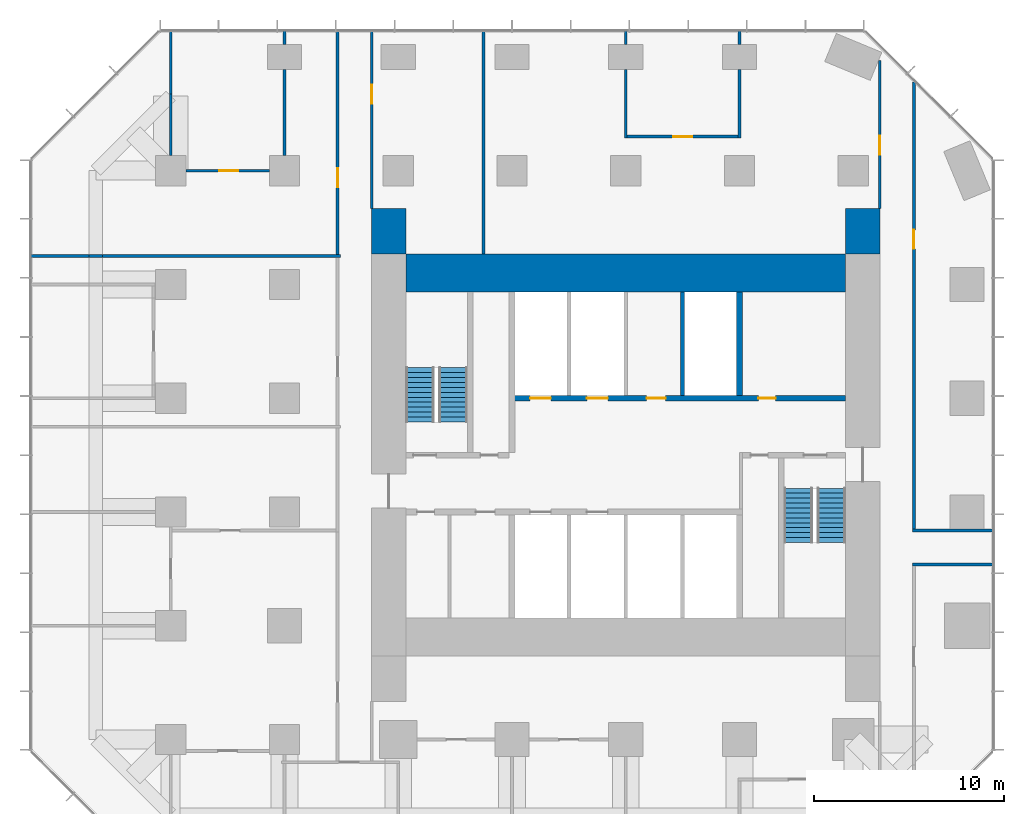
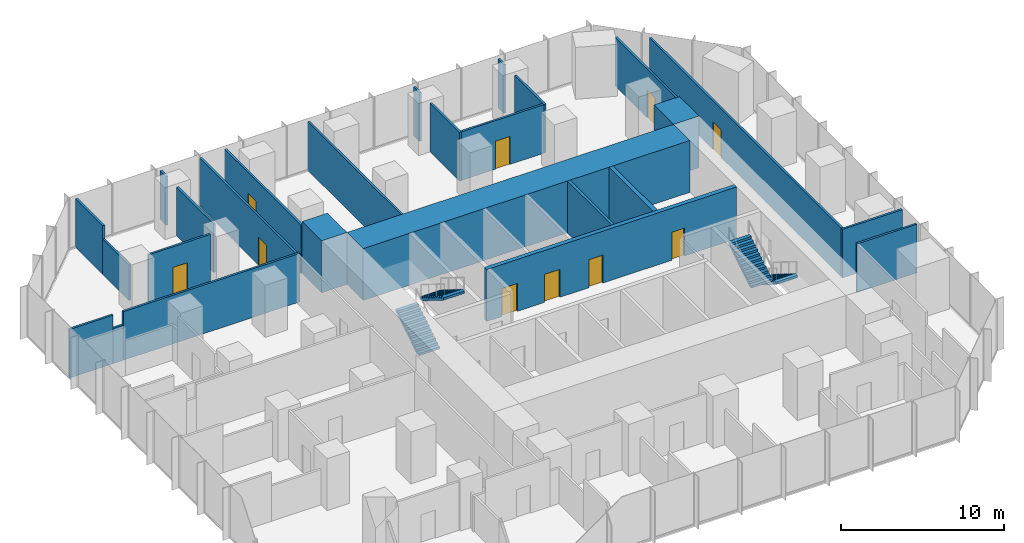
# One storey, part 10 of 11: 26 walls, 10 doors, 4 stair flights, 10 openings, 2 elements without a shape of their own.
"""IFC4 building model written with IfcOpenShell, lengths in metres."""

from ifc_helpers import new_model, si_unit, direction, frame, frame_2d, origin, place, context, subcontext, project, spatial, polyline, rectangle, outline, extrude, material, layer, layer_set, type_object, element, fill, aggregate, save


model = new_model("IFC4")

# Units and contexts
model_context = context("Model", 3, precision=1e-05, world=origin(), true_north=direction((0.0, 1.0)))
body_context = subcontext(model_context, "Body", "Model", "MODEL_VIEW")
ifc_project = project(units=[si_unit("LENGTHUNIT", "METRE"), si_unit("AREAUNIT", "SQUARE_METRE"), si_unit("VOLUMEUNIT", "CUBIC_METRE"), si_unit("PLANEANGLEUNIT", "RADIAN"), si_unit("MASSUNIT", "GRAM", prefix="KILO")], contexts=[model_context])

# Site, building, storey
site_placement = place(None, origin())
site = spatial("IfcSite", under=ifc_project, at=site_placement, CompositionType="ELEMENT")
building_placement = place(site_placement, origin())
building = spatial("IfcBuilding", under=site, at=building_placement, Name="Highveld Stack Headquarters", CompositionType="ELEMENT")
storey_placement = place(building_placement, frame((0.0, 0.0, 125.0)))
storey = spatial("IfcBuildingStorey", under=building, at=storey_placement, Name="L30", CompositionType="ELEMENT", Elevation=125.0)

# Wall
ifc_material_1 = material(Name="Concrete C60/75", Category="concrete")
ifc_layer_1 = layer(ifc_material_1, 2.0)
ifc_layer_set_1 = layer_set([ifc_layer_1], Name="Concrete C60/75")
wall_type_1 = type_object("IfcWallType", Name="CORE WALL 2000 C60/75", PredefinedType="SHEAR", material=ifc_layer_set_1)
wall_1_placement = place(storey_placement, frame((-5.60009765625, 12.60009765625, 0.0), z_axis=(0.0, 0.0, 1.0), x_axis=(1.0, 0.0, 0.0)))
element("IfcWall", 1, at=wall_1_placement, inside=storey, type_object=wall_type_1, Name="Core wall N L30", PredefinedType="SHEAR", context=body_context, shape_type="SweptSolid", body=[
    extrude(rectangle(XDim=23.2001953125, YDim=2.0, at=frame_2d((11.60009765625, 0.0))), origin(), (0.0, 0.0, 1.0), 3.89990234375),
])

# Wall, openings, doors
ifc_material_2 = material(Name="Concrete C60/75", Category="concrete")
ifc_layer_2 = layer(ifc_material_2, 0.300048828125)
ifc_layer_set_2 = layer_set([ifc_layer_2], Name="Concrete C60/75")
wall_type_2 = type_object("IfcWallType", Name="CORE WALL 300 C60/75", PredefinedType="SHEAR", material=ifc_layer_set_2)
wall_2_placement = place(storey_placement, frame((-0.14990234375, 6.0, 0.0), z_axis=(0.0, 0.0, 1.0), x_axis=(1.0, 0.0, 0.0)))
wall_2 = element("IfcWall", 2, at=wall_2_placement, inside=storey, type_object=wall_type_2, Name="Core wall I-Y6 L30", PredefinedType="SHEAR", context=body_context, shape_type="SweptSolid", body=[
    extrude(rectangle(XDim=17.75, YDim=0.300048828125, at=frame_2d((8.875, 0.0))), origin(), (0.0, 0.0, 1.0), 3.89990234375),
])
opening_1_placement = place(wall_2_placement, frame((13.14990234375, 0.0, 0.0)))
opening_1 = element("IfcOpeningElement", 3, at=opening_1_placement, cuts=wall_2, Name="Opening L30-09", PredefinedType="OPENING", context=body_context, shape_type="SweptSolid", body=[
    extrude(rectangle(XDim=0.89990234375, YDim=2.10009765625, at=frame_2d((0.449951171875, 1.050048828125))), frame((0.0, 0.159912109375, 0.0), z_axis=(0.0, -1.0, 0.0), x_axis=(1.0, 0.0, 0.0)), (0.0, 0.0, 1.0), 0.320068359375),
])
opening_2_placement = place(wall_2_placement, frame((7.25, 0.0, 0.0)))
opening_2 = element("IfcOpeningElement", 4, at=opening_2_placement, cuts=wall_2, Name="Opening L30-10", PredefinedType="OPENING", context=body_context, shape_type="SweptSolid", body=[
    extrude(rectangle(XDim=1.0, YDim=2.10009765625, at=frame_2d((0.5, 1.050048828125))), frame((0.0, 0.159912109375, 0.0), z_axis=(0.0, -1.0, 0.0), x_axis=(1.0, 0.0, 0.0)), (0.0, 0.0, 1.0), 0.320068359375),
])
opening_3_placement = place(wall_2_placement, frame((1.10009765625, 0.0, 0.0)))
opening_3 = element("IfcOpeningElement", 5, at=opening_3_placement, cuts=wall_2, Name="Opening LD", PredefinedType="OPENING", context=body_context, shape_type="SweptSolid", body=[
    extrude(rectangle(XDim=1.10009765625, YDim=2.10009765625, at=frame_2d((0.550048828125, 1.050048828125))), frame((0.0, 0.159912109375, 0.0), z_axis=(0.0, -1.0, 0.0), x_axis=(1.0, 0.0, 0.0)), (0.0, 0.0, 1.0), 0.320068359375),
])
opening_4_placement = place(wall_2_placement, frame((4.10009765625, 0.0, 0.0)))
opening_4 = element("IfcOpeningElement", 6, at=opening_4_placement, cuts=wall_2, Name="Opening LD", PredefinedType="OPENING", context=body_context, shape_type="SweptSolid", body=[
    extrude(rectangle(XDim=1.10009765625, YDim=2.10009765625, at=frame_2d((0.550048828125, 1.050048828125))), frame((0.0, 0.159912109375, 0.0), z_axis=(0.0, -1.0, 0.0), x_axis=(1.0, 0.0, 0.0)), (0.0, 0.0, 1.0), 0.320068359375),
])
ifc_material_3 = material(Name="Steel fire door", Category="steel")
door_type_1 = type_object("IfcDoorType", Name="CORE ROOM FIRE DOOR D14 1000x2100", OperationType="SINGLE_SWING_LEFT", PredefinedType="DOOR", material=ifc_material_3)
door_1_placement = place(opening_2_placement, origin())
door_1 = element("IfcDoor", 7, at=door_1_placement, inside=storey, type_object=door_type_1, Name="Capped A 1 door L30", OperationType="SINGLE_SWING_LEFT", OverallHeight=2.10009765625, OverallWidth=1.0, PredefinedType="DOOR", context=body_context, shape_type="SweptSolid", body=[
    extrude(rectangle(XDim=1.0, YDim=2.10009765625, at=frame_2d((0.5, 1.050048828125))), frame((0.0, 0.02490234375, 0.0), z_axis=(0.0, -1.0, 0.0), x_axis=(1.0, 0.0, 0.0)), (0.0, 0.0, 1.0), 0.050048828125),
])
fill(opening_2, door_1)
ifc_material_4 = material(Name="Stainless steel lift landing door", Category="steel")
door_type_2 = type_object("IfcDoorType", Name="LIFT LANDING DOOR LD 1100x2100", OperationType="DOUBLE_DOOR_SLIDING", PredefinedType="USERDEFINED", material=ifc_material_4)
door_2_placement = place(opening_3_placement, origin())
door_2 = element("IfcDoor", 8, at=door_2_placement, inside=storey, type_object=door_type_2, Name="Lift landing door FF1 L30", ObjectType="LIFT LANDING DOOR", OperationType="DOUBLE_DOOR_SLIDING", OverallHeight=2.10009765625, OverallWidth=1.10009765625, PredefinedType="USERDEFINED", context=body_context, shape_type="SweptSolid", body=[
    extrude(rectangle(XDim=1.10009765625, YDim=2.10009765625, at=frame_2d((0.550048828125, 1.050048828125))), frame((0.0, 0.02490234375, 0.0), z_axis=(0.0, -1.0, 0.0), x_axis=(1.0, 0.0, 0.0)), (0.0, 0.0, 1.0), 0.050048828125),
])
fill(opening_3, door_2)
door_3_placement = place(opening_4_placement, origin())
door_3 = element("IfcDoor", 9, at=door_3_placement, inside=storey, type_object=door_type_2, Name="Lift landing door FF2 L30", ObjectType="LIFT LANDING DOOR", OperationType="DOUBLE_DOOR_SLIDING", OverallHeight=2.10009765625, OverallWidth=1.10009765625, PredefinedType="USERDEFINED", context=body_context, shape_type="SweptSolid", body=[
    extrude(rectangle(XDim=1.10009765625, YDim=2.10009765625, at=frame_2d((0.550048828125, 1.050048828125))), frame((0.0, 0.02490234375, 0.0), z_axis=(0.0, -1.0, 0.0), x_axis=(1.0, 0.0, 0.0)), (0.0, 0.0, 1.0), 0.050048828125),
])
fill(opening_4, door_3)
ifc_material_5 = material(Name="Timber door, painted", Category="wood")
door_type_3 = type_object("IfcDoorType", Name="WC DOOR D1 900x2100", OperationType="SINGLE_SWING_LEFT", PredefinedType="DOOR", material=ifc_material_5)
door_4_placement = place(opening_1_placement, origin())
door_4 = element("IfcDoor", 10, at=door_4_placement, inside=storey, type_object=door_type_3, Name="Male WC door L30", OperationType="SINGLE_SWING_RIGHT", OverallHeight=2.10009765625, OverallWidth=0.89990234375, PredefinedType="DOOR", context=body_context, shape_type="SweptSolid", body=[
    extrude(rectangle(XDim=0.89990234375, YDim=2.10009765625, at=frame_2d((0.449951171875, 1.050048828125))), frame((0.0, 0.02490234375, 0.0), z_axis=(0.0, -1.0, 0.0), x_axis=(1.0, 0.0, 0.0)), (0.0, 0.0, 1.0), 0.050048828125),
])
fill(opening_1, door_4)

# Walls
wall_3_placement = place(storey_placement, frame((12.0, 6.14990234375, 0.0), z_axis=(0.0, 0.0, 1.0), x_axis=(0.0, 1.0, 0.0)))
element("IfcWall", 11, at=wall_3_placement, inside=storey, type_object=wall_type_2, Name="Core wall I-X12N L30", PredefinedType="SHEAR", context=body_context, shape_type="SweptSolid", body=[
    extrude(rectangle(XDim=5.4501953125, YDim=0.300048828125, at=frame_2d((2.72509765625, 0.0))), origin(), (0.0, 0.0, 1.0), 3.89990234375),
])
ifc_material_6 = material(Name="Concrete C60/75", Category="concrete")
ifc_layer_3 = layer(ifc_material_6, 1.800048828125)
ifc_layer_set_3 = layer_set([ifc_layer_3], Name="Concrete C60/75")
wall_type_3 = type_object("IfcWallType", Name="CORE WING WALL 1800 C60/75", PredefinedType="SHEAR", material=ifc_layer_set_3)
for number, where, z_axis, x_axis, name in (
    (12, (-6.5, 13.60009765625, 0.0), (0.0, 0.0, 1.0), (0.0, 1.0, 0.0), "Core wing wall WN L30"),
    (13, (18.5, 13.60009765625, 0.0), (0.0, 0.0, 1.0), (0.0, 1.0, 0.0), "Core wing wall EN L30"),
):
    element("IfcWall", number, at=place(storey_placement, frame(where, z_axis=z_axis, x_axis=x_axis)), inside=storey, type_object=wall_type_3, Name=name, PredefinedType="SHEAR", context=body_context, shape_type="SweptSolid", body=[
        extrude(rectangle(XDim=2.39990234375, YDim=1.800048828125, at=frame_2d((1.199951171875, 0.0))), origin(), (0.0, 0.0, 1.0), 3.89990234375),
    ])
ifc_material_7 = material(Name="Concrete blockwork, fair-faced", Category="masonry")
ifc_layer_4 = layer(ifc_material_7, 0.199951171875)
ifc_layer_set_4 = layer_set([ifc_layer_4], Name="Concrete blockwork, fair-faced")
wall_type_4 = type_object("IfcWallType", Name="LIFT SHAFT ENCLOSURE WALL 200 BLOCKWORK", PredefinedType="SOLIDWALL", material=ifc_layer_set_4)
wall_4_placement = place(storey_placement, frame((9.0, 6.14990234375, 0.0), z_axis=(0.0, 0.0, 1.0), x_axis=(0.0, 1.0, 0.0)))
element("IfcWall", 14, at=wall_4_placement, inside=storey, type_object=wall_type_4, Name="Lift shaft wall L30", PredefinedType="SOLIDWALL", context=body_context, shape_type="SweptSolid", body=[
    extrude(rectangle(XDim=5.4501953125, YDim=0.199951171875, at=frame_2d((2.72509765625, 0.0))), origin(), (0.0, 0.0, 1.0), 3.89990234375),
])

# Wall, opening, door
ifc_material_8 = material(Name="Gypsum plasterboard on steel studs", Category="steel")
ifc_layer_5 = layer(ifc_material_8, 0.14990234375)
ifc_layer_set_5 = layer_set([ifc_layer_5], Name="Gypsum plasterboard on steel studs")
wall_type_5 = type_object("IfcWallType", Name="PARTITION 150 PLASTERBOARD", PredefinedType="PARTITIONING", material=ifc_layer_set_5)
wall_5_placement = place(storey_placement, frame((-17.18994140625, 18.0, 0.0), z_axis=(0.0, 0.0, 1.0), x_axis=(1.0, 0.0, 0.0)))
wall_5 = element("IfcWall", 15, at=wall_5_placement, inside=storey, type_object=wall_type_5, Name="Partition Office L30", PredefinedType="PARTITIONING", context=body_context, shape_type="SweptSolid", body=[
    extrude(rectangle(XDim=4.389892578125, YDim=0.14990234375, at=frame_2d((2.19482421875, 0.0))), origin(), (0.0, 0.0, 1.0), 3.64990234375),
])
opening_5_placement = place(wall_5_placement, frame((1.7451171875, 0.0, 0.0)))
opening_5 = element("IfcOpeningElement", 16, at=opening_5_placement, cuts=wall_5, Name="Opening L30-18", PredefinedType="OPENING", context=body_context, shape_type="SweptSolid", body=[
    extrude(rectangle(XDim=1.0, YDim=2.10009765625, at=frame_2d((0.5, 1.050048828125))), frame((0.0, 0.0849609375, 0.0), z_axis=(0.0, -1.0, 0.0), x_axis=(1.0, 0.0, 0.0)), (0.0, 0.0, 1.0), 0.169921875),
])
ifc_material_9 = material(Name="Timber door, oiled ash", Category="wood")
door_type_4 = type_object("IfcDoorType", Name="ROOM DOOR D6 1000x2100", OperationType="SINGLE_SWING_LEFT", PredefinedType="DOOR", material=ifc_material_9)
door_5_placement = place(opening_5_placement, origin())
door_5 = element("IfcDoor", 17, at=door_5_placement, inside=storey, type_object=door_type_4, Name="Office door 1 L30", OperationType="SINGLE_SWING_RIGHT", OverallHeight=2.10009765625, OverallWidth=1.0, PredefinedType="DOOR", context=body_context, shape_type="SweptSolid", body=[
    extrude(rectangle(XDim=1.0, YDim=2.10009765625, at=frame_2d((0.5, 1.050048828125))), frame((0.0, 0.02490234375, 0.0), z_axis=(0.0, -1.0, 0.0), x_axis=(1.0, 0.0, 0.0)), (0.0, 0.0, 1.0), 0.050048828125),
])
fill(opening_5, door_5)

wall_6_placement = place(storey_placement, frame((6.074951171875, 19.800048828125, 0.0), z_axis=(0.0, 0.0, 1.0), x_axis=(1.0, 0.0, 0.0)))
wall_6 = element("IfcWall", 18, at=wall_6_placement, inside=storey, type_object=wall_type_5, Name="Partition Print room L30", PredefinedType="PARTITIONING", context=body_context, shape_type="SweptSolid", body=[
    extrude(rectangle(XDim=5.85009765625, YDim=0.14990234375, at=frame_2d((2.925048828125, 0.0))), origin(), (0.0, 0.0, 1.0), 3.64990234375),
])
opening_6_placement = place(wall_6_placement, frame((2.425048828125, 0.0, 0.0)))
opening_6 = element("IfcOpeningElement", 19, at=opening_6_placement, cuts=wall_6, Name="Opening L30-19", PredefinedType="OPENING", context=body_context, shape_type="SweptSolid", body=[
    extrude(rectangle(XDim=1.0, YDim=2.10009765625, at=frame_2d((0.5, 1.050048828125))), frame((0.0, 0.0849609375, 0.0), z_axis=(0.0, -1.0, 0.0), x_axis=(1.0, 0.0, 0.0)), (0.0, 0.0, 1.0), 0.169921875),
])
door_6_placement = place(opening_6_placement, origin())
door_6 = element("IfcDoor", 20, at=door_6_placement, inside=storey, type_object=door_type_4, Name="Print room door 1 L30", OperationType="SINGLE_SWING_LEFT", OverallHeight=2.10009765625, OverallWidth=1.0, PredefinedType="DOOR", context=body_context, shape_type="SweptSolid", body=[
    extrude(rectangle(XDim=1.0, YDim=2.10009765625, at=frame_2d((0.5, 1.050048828125))), frame((0.0, 0.02490234375, 0.0), z_axis=(0.0, -1.0, 0.0), x_axis=(1.0, 0.0, 0.0)), (0.0, 0.0, 1.0), 0.050048828125),
])
fill(opening_6, door_6)

# Walls
wall_7_placement = place(storey_placement, frame((-18.0, 18.800048828125, 0.0), z_axis=(0.0, 0.0, 1.0), x_axis=(0.0, 1.0, 0.0)))
element("IfcWall", 21, at=wall_7_placement, inside=storey, type_object=wall_type_5, Name="Partition Office L30", PredefinedType="PARTITIONING", context=body_context, shape_type="SweptSolid", body=[
    extrude(rectangle(XDim=3.244873046875, YDim=0.14990234375, at=frame_2d((1.62255859375, 0.0))), origin(), (0.0, 0.0, 1.0), 2.64990234375),
])
wall_8_placement = place(storey_placement, frame((-18.0, 22.044921875, 0.0), z_axis=(0.0, 0.0, 1.0), x_axis=(0.0, 1.0, 0.0)))
element("IfcWall", 22, at=wall_8_placement, inside=storey, type_object=wall_type_5, Name="Partition Office L30", PredefinedType="PARTITIONING", context=body_context, shape_type="SweptSolid", body=[
    extrude(rectangle(XDim=3.35498046875, YDim=0.14990234375, at=frame_2d((1.677490234375, 0.0))), origin(), (0.0, 0.0, 1.0), 3.64990234375),
])
wall_9_placement = place(storey_placement, frame((-12.0, 18.800048828125, 0.0), z_axis=(0.0, 0.0, 1.0), x_axis=(0.0, 1.0, 0.0)))
element("IfcWall", 23, at=wall_9_placement, inside=storey, type_object=wall_type_5, Name="Partition Office L30", PredefinedType="PARTITIONING", context=body_context, shape_type="SweptSolid", body=[
    extrude(rectangle(XDim=4.550048828125, YDim=0.14990234375, at=frame_2d((2.27490234375, 0.0))), origin(), (0.0, 0.0, 1.0), 3.64990234375),
])
wall_10_placement = place(storey_placement, frame((-12.0, 24.64990234375, 0.0), z_axis=(0.0, 0.0, 1.0), x_axis=(0.0, 1.0, 0.0)))
element("IfcWall", 24, at=wall_10_placement, inside=storey, type_object=wall_type_5, Name="Partition Office L30", PredefinedType="PARTITIONING", context=body_context, shape_type="SweptSolid", body=[
    extrude(rectangle(XDim=0.75, YDim=0.14990234375, at=frame_2d((0.375, 0.0))), origin(), (0.0, 0.0, 1.0), 3.64990234375),
])
wall_11_placement = place(storey_placement, frame((6.0, 19.72509765625, 0.0), z_axis=(0.0, 0.0, 1.0), x_axis=(0.0, 1.0, 0.0)))
element("IfcWall", 25, at=wall_11_placement, inside=storey, type_object=wall_type_5, Name="Partition Print room L30", PredefinedType="PARTITIONING", context=body_context, shape_type="SweptSolid", body=[
    extrude(rectangle(XDim=3.625, YDim=0.14990234375, at=frame_2d((1.8125, 0.0))), origin(), (0.0, 0.0, 1.0), 3.64990234375),
])
wall_12_placement = place(storey_placement, frame((6.0, 24.64990234375, 0.0), z_axis=(0.0, 0.0, 1.0), x_axis=(0.0, 1.0, 0.0)))
element("IfcWall", 26, at=wall_12_placement, inside=storey, type_object=wall_type_5, Name="Partition Print room L30", PredefinedType="PARTITIONING", context=body_context, shape_type="SweptSolid", body=[
    extrude(rectangle(XDim=0.75, YDim=0.14990234375, at=frame_2d((0.375, 0.0))), origin(), (0.0, 0.0, 1.0), 3.64990234375),
])
wall_13_placement = place(storey_placement, frame((12.0, 19.72509765625, 0.0), z_axis=(0.0, 0.0, 1.0), x_axis=(0.0, 1.0, 0.0)))
element("IfcWall", 27, at=wall_13_placement, inside=storey, type_object=wall_type_5, Name="Partition Print room L30", PredefinedType="PARTITIONING", context=body_context, shape_type="SweptSolid", body=[
    extrude(rectangle(XDim=3.625, YDim=0.14990234375, at=frame_2d((1.8125, 0.0))), origin(), (0.0, 0.0, 1.0), 3.64990234375),
])
wall_14_placement = place(storey_placement, frame((12.0, 24.64990234375, 0.0), z_axis=(0.0, 0.0, 1.0), x_axis=(0.0, 1.0, 0.0)))
element("IfcWall", 28, at=wall_14_placement, inside=storey, type_object=wall_type_5, Name="Partition Print room L30", PredefinedType="PARTITIONING", context=body_context, shape_type="SweptSolid", body=[
    extrude(rectangle(XDim=0.75, YDim=0.14990234375, at=frame_2d((0.375, 0.0))), origin(), (0.0, 0.0, 1.0), 3.64990234375),
])
wall_15_placement = place(storey_placement, frame((-25.39990234375, 13.5, 0.0), z_axis=(0.0, 0.0, 1.0), x_axis=(1.0, 0.0, 0.0)))
element("IfcWall", 29, at=wall_15_placement, inside=storey, type_object=wall_type_5, Name="Partition office neighbourhood L30", PredefinedType="PARTITIONING", context=body_context, shape_type="SweptSolid", body=[
    extrude(rectangle(XDim=3.08984375, YDim=0.14990234375, at=frame_2d((1.544921875, 0.0))), origin(), (0.0, 0.0, 1.0), 3.64990234375),
])
wall_16_placement = place(storey_placement, frame((-22.31005859375, 13.5, 0.0), z_axis=(0.0, 0.0, 1.0), x_axis=(1.0, 0.0, 0.0)))
element("IfcWall", 30, at=wall_16_placement, inside=storey, type_object=wall_type_5, Name="Partition office neighbourhood L30", PredefinedType="PARTITIONING", context=body_context, shape_type="SweptSolid", body=[
    extrude(rectangle(XDim=0.719970703125, YDim=0.14990234375, at=frame_2d((0.35986328125, 0.0))), origin(), (0.0, 0.0, 1.0), 2.64990234375),
])
wall_17_placement = place(storey_placement, frame((-21.590087890625, 13.5, 0.0), z_axis=(0.0, 0.0, 1.0), x_axis=(1.0, 0.0, 0.0)))
element("IfcWall", 31, at=wall_17_placement, inside=storey, type_object=wall_type_5, Name="Partition office neighbourhood L30", PredefinedType="PARTITIONING", context=body_context, shape_type="SweptSolid", body=[
    extrude(rectangle(XDim=12.5400390625, YDim=0.14990234375, at=frame_2d((6.27001953125, 0.0))), origin(), (0.0, 0.0, 1.0), 3.64990234375),
])

# Wall, opening, door
wall_18_placement = place(storey_placement, frame((-9.199951171875, 13.574951171875, 0.0), z_axis=(0.0, 0.0, 1.0), x_axis=(0.0, 1.0, 0.0)))
wall_18 = element("IfcWall", 32, at=wall_18_placement, inside=storey, type_object=wall_type_5, Name="Partition office neighbourhood L30", PredefinedType="PARTITIONING", context=body_context, shape_type="SweptSolid", body=[
    extrude(rectangle(XDim=11.775146484375, YDim=0.14990234375, at=frame_2d((5.8876953125, 0.0))), origin(), (0.0, 0.0, 1.0), 3.64990234375),
])
opening_7_placement = place(wall_18_placement, frame((3.554931640625, 0.0, 0.0)))
opening_7 = element("IfcOpeningElement", 33, at=opening_7_placement, cuts=wall_18, Name="Opening L30-26", PredefinedType="OPENING", context=body_context, shape_type="SweptSolid", body=[
    extrude(rectangle(XDim=1.0, YDim=2.10009765625, at=frame_2d((0.5, 1.050048828125))), frame((0.0, 0.0849609375, 0.0), z_axis=(0.0, -1.0, 0.0), x_axis=(1.0, 0.0, 0.0)), (0.0, 0.0, 1.0), 0.169921875),
])
door_7_placement = place(opening_7_placement, origin())
door_7 = element("IfcDoor", 34, at=door_7_placement, inside=storey, type_object=door_type_4, Name="Office neighbourhood door L30", OperationType="SINGLE_SWING_LEFT", OverallHeight=2.10009765625, OverallWidth=1.0, PredefinedType="DOOR", context=body_context, shape_type="SweptSolid", body=[
    extrude(rectangle(XDim=1.0, YDim=2.10009765625, at=frame_2d((0.5, 1.050048828125))), frame((0.0, 0.02490234375, 0.0), z_axis=(0.0, -1.0, 0.0), x_axis=(1.0, 0.0, 0.0)), (0.0, 0.0, 1.0), 0.050048828125),
])
fill(opening_7, door_7)

wall_19_placement = place(storey_placement, frame((-7.39990234375, 16.0, 0.0), z_axis=(0.0, 0.0, 1.0), x_axis=(0.0, 1.0, 0.0)))
wall_19 = element("IfcWall", 35, at=wall_19_placement, inside=storey, type_object=wall_type_5, Name="Partition office neighbourhood L30", PredefinedType="PARTITIONING", context=body_context, shape_type="SweptSolid", body=[
    extrude(rectangle(XDim=9.39990234375, YDim=0.14990234375, at=frame_2d((4.699951171875, 0.0))), origin(), (0.0, 0.0, 1.0), 3.64990234375),
])
opening_8_placement = place(wall_19_placement, frame((5.544921875, 0.0, 0.0)))
opening_8 = element("IfcOpeningElement", 36, at=opening_8_placement, cuts=wall_19, Name="Opening L30-27", PredefinedType="OPENING", context=body_context, shape_type="SweptSolid", body=[
    extrude(rectangle(XDim=1.0, YDim=2.10009765625, at=frame_2d((0.5, 1.050048828125))), frame((0.0, 0.0849609375, 0.0), z_axis=(0.0, -1.0, 0.0), x_axis=(1.0, 0.0, 0.0)), (0.0, 0.0, 1.0), 0.169921875),
])
door_8_placement = place(opening_8_placement, origin())
door_8 = element("IfcDoor", 37, at=door_8_placement, inside=storey, type_object=door_type_4, Name="Office neighbourhood door L30", OperationType="SINGLE_SWING_RIGHT", OverallHeight=2.10009765625, OverallWidth=1.0, PredefinedType="DOOR", context=body_context, shape_type="SweptSolid", body=[
    extrude(rectangle(XDim=1.0, YDim=2.10009765625, at=frame_2d((0.5, 1.050048828125))), frame((0.0, 0.02490234375, 0.0), z_axis=(0.0, -1.0, 0.0), x_axis=(1.0, 0.0, 0.0)), (0.0, 0.0, 1.0), 0.050048828125),
])
fill(opening_8, door_8)

# Wall
wall_20_placement = place(storey_placement, frame((-1.5, 13.60009765625, 0.0), z_axis=(0.0, 0.0, 1.0), x_axis=(0.0, 1.0, 0.0)))
element("IfcWall", 38, at=wall_20_placement, inside=storey, type_object=wall_type_5, Name="Partition office neighbourhood L30", PredefinedType="PARTITIONING", context=body_context, shape_type="SweptSolid", body=[
    extrude(rectangle(XDim=11.7998046875, YDim=0.14990234375, at=frame_2d((5.89990234375, 0.0))), origin(), (0.0, 0.0, 1.0), 3.64990234375),
])

# Wall, opening, door
wall_21_placement = place(storey_placement, frame((19.39990234375, 16.0, 0.0), z_axis=(0.0, 0.0, 1.0), x_axis=(0.0, 1.0, 0.0)))
wall_21 = element("IfcWall", 39, at=wall_21_placement, inside=storey, type_object=wall_type_5, Name="Partition office neighbourhood L30", PredefinedType="PARTITIONING", context=body_context, shape_type="SweptSolid", body=[
    extrude(rectangle(XDim=7.8017578125, YDim=0.14990234375, at=frame_2d((3.90087890625, 0.0))), origin(), (0.0, 0.0, 1.0), 3.64990234375),
])
opening_9_placement = place(wall_21_placement, frame((2.85009765625, 0.0, 0.0)))
opening_9 = element("IfcOpeningElement", 40, at=opening_9_placement, cuts=wall_21, Name="Opening L30-28", PredefinedType="OPENING", context=body_context, shape_type="SweptSolid", body=[
    extrude(rectangle(XDim=1.0, YDim=2.10009765625, at=frame_2d((0.5, 1.050048828125))), frame((0.0, 0.0849609375, 0.0), z_axis=(0.0, -1.0, 0.0), x_axis=(1.0, 0.0, 0.0)), (0.0, 0.0, 1.0), 0.169921875),
])
door_9_placement = place(opening_9_placement, origin())
door_9 = element("IfcDoor", 41, at=door_9_placement, inside=storey, type_object=door_type_4, Name="Office neighbourhood door L30", OperationType="SINGLE_SWING_LEFT", OverallHeight=2.10009765625, OverallWidth=1.0, PredefinedType="DOOR", context=body_context, shape_type="SweptSolid", body=[
    extrude(rectangle(XDim=1.0, YDim=2.10009765625, at=frame_2d((0.5, 1.050048828125))), frame((0.0, 0.02490234375, 0.0), z_axis=(0.0, -1.0, 0.0), x_axis=(1.0, 0.0, 0.0)), (0.0, 0.0, 1.0), 0.050048828125),
])
fill(opening_9, door_9)

# Wall
wall_22_placement = place(storey_placement, frame((21.125, -2.77490234375, 0.0), z_axis=(0.0, 0.0, 1.0), x_axis=(1.0, 0.0, 0.0)))
element("IfcWall", 42, at=wall_22_placement, inside=storey, type_object=wall_type_5, Name="Partition office neighbourhood L30", PredefinedType="PARTITIONING", context=body_context, shape_type="SweptSolid", body=[
    extrude(rectangle(XDim=4.27490234375, YDim=0.14990234375, at=frame_2d((2.137451171875, 0.0))), origin(), (0.0, 0.0, 1.0), 3.64990234375),
])

# Wall, opening, door
wall_23_placement = place(storey_placement, frame((21.199951171875, -0.89990234375, 0.0), z_axis=(0.0, 0.0, 1.0), x_axis=(0.0, 1.0, 0.0)))
wall_23 = element("IfcWall", 43, at=wall_23_placement, inside=storey, type_object=wall_type_5, Name="Partition office neighbourhood L30", PredefinedType="PARTITIONING", context=body_context, shape_type="SweptSolid", body=[
    extrude(rectangle(XDim=23.5888671875, YDim=0.14990234375, at=frame_2d((11.79443359375, 0.0))), origin(), (0.0, 0.0, 1.0), 3.64990234375),
])
opening_10_placement = place(wall_23_placement, frame((14.77392578125, 0.0, 0.0)))
opening_10 = element("IfcOpeningElement", 44, at=opening_10_placement, cuts=wall_23, Name="Opening L30-25", PredefinedType="OPENING", context=body_context, shape_type="SweptSolid", body=[
    extrude(rectangle(XDim=1.0, YDim=2.10009765625, at=frame_2d((0.5, 1.050048828125))), frame((0.0, 0.0849609375, 0.0), z_axis=(0.0, -1.0, 0.0), x_axis=(1.0, 0.0, 0.0)), (0.0, 0.0, 1.0), 0.169921875),
])
door_10_placement = place(opening_10_placement, origin())
door_10 = element("IfcDoor", 45, at=door_10_placement, inside=storey, type_object=door_type_4, Name="Office neighbourhood door L30", OperationType="SINGLE_SWING_RIGHT", OverallHeight=2.10009765625, OverallWidth=1.0, PredefinedType="DOOR", context=body_context, shape_type="SweptSolid", body=[
    extrude(rectangle(XDim=1.0, YDim=2.10009765625, at=frame_2d((0.5, 1.050048828125))), frame((0.0, 0.02490234375, 0.0), z_axis=(0.0, -1.0, 0.0), x_axis=(1.0, 0.0, 0.0)), (0.0, 0.0, 1.0), 0.050048828125),
])
fill(opening_10, door_10)

# Wall
wall_24_placement = place(storey_placement, frame((21.125, -0.97509765625, 0.0), z_axis=(0.0, 0.0, 1.0), x_axis=(1.0, 0.0, 0.0)))
element("IfcWall", 46, at=wall_24_placement, inside=storey, type_object=wall_type_5, Name="Partition office neighbourhood L30", PredefinedType="PARTITIONING", context=body_context, shape_type="SweptSolid", body=[
    extrude(rectangle(XDim=4.27490234375, YDim=0.14990234375, at=frame_2d((2.137451171875, 0.0))), origin(), (0.0, 0.0, 1.0), 3.64990234375),
])

# Stair, stair flights
ifc_material_10 = material(Name="Concrete C40/50, precast", Category="concrete")
stair_type_1 = type_object("IfcStairType", Name="STAIR S1 HALF TURN 1500", PredefinedType="HALF_TURN_STAIR", material=ifc_material_10)
stair_1_placement = place(storey_placement, origin())
stair_1 = element("IfcStair", 47, at=stair_1_placement, inside=storey, type_object=stair_type_1, Name="Stair S1 L30", PredefinedType="HALF_TURN_STAIR")
ifc_material_11 = material(Name="Concrete C40/50, precast", Category="concrete")
stair_flight_type = type_object("IfcStairFlightType", Name="STAIR FLIGHT 1500 PRECAST", PredefinedType="STRAIGHT", material=ifc_material_11)
stair_flight_1_placement = place(storey_placement, frame((-4.85009765625, 4.75, 0.0), z_axis=(0.0, 0.0, 1.0), x_axis=(0.0, 1.0, 0.0)))
stair_flight_1 = element("IfcStairFlight", 48, at=stair_flight_1_placement, type_object=stair_flight_type, Name="S1 flight 1", NumberOfRisers=12, NumberOfTreads=11, PredefinedType="STRAIGHT", RiserHeight=0.1625, TreadLength=0.26, context=body_context, shape_type="SweptSolid", body=[
    extrude(outline(polyline([(0.0, 0.0), (0.0, 0.16259765625), (0.260009765625, 0.16259765625), (0.260009765625, 0.324951171875), (0.52001953125, 0.324951171875), (0.52001953125, 0.487548828125), (0.780029296875, 0.487548828125), (0.780029296875, 0.64990234375), (1.0400390625, 0.64990234375), (1.0400390625, 0.8125), (1.300048828125, 0.8125), (1.300048828125, 0.97509765625), (1.56005859375, 0.97509765625), (1.56005859375, 1.137451171875), (1.820068359375, 1.137451171875), (1.820068359375, 1.300048828125), (2.080078125, 1.300048828125), (2.080078125, 1.46240234375), (2.340087890625, 1.46240234375), (2.340087890625, 1.625), (2.60009765625, 1.625), (2.60009765625, 1.78759765625), (2.860107421875, 1.78759765625), (2.860107421875, 1.949951171875), (2.860107421875, 1.61083984375), (0.28271484375, 0.0), (0.0, 0.0)])), frame((0.0, 0.75, 0.0), z_axis=(0.0, -1.0, 0.0), x_axis=(1.0, 0.0, 0.0)), (0.0, 0.0, 1.0), 1.5),
])
stair_flight_2_placement = place(storey_placement, frame((-3.10009765625, 7.610107421875, 1.949951171875), z_axis=(0.0, 0.0, 1.0), x_axis=(0.0, -1.0, 0.0)))
stair_flight_2 = element("IfcStairFlight", 49, at=stair_flight_2_placement, type_object=stair_flight_type, Name="S1 flight 2", NumberOfRisers=12, NumberOfTreads=11, PredefinedType="STRAIGHT", RiserHeight=0.1625, TreadLength=0.26, context=body_context, shape_type="SweptSolid", body=[
    extrude(outline(polyline([(0.0, 0.0), (0.0, 0.16259765625), (0.260009765625, 0.16259765625), (0.260009765625, 0.324951171875), (0.52001953125, 0.324951171875), (0.52001953125, 0.487548828125), (0.780029296875, 0.487548828125), (0.780029296875, 0.64990234375), (1.0400390625, 0.64990234375), (1.0400390625, 0.8125), (1.300048828125, 0.8125), (1.300048828125, 0.97509765625), (1.56005859375, 0.97509765625), (1.56005859375, 1.137451171875), (1.820068359375, 1.137451171875), (1.820068359375, 1.300048828125), (2.080078125, 1.300048828125), (2.080078125, 1.46240234375), (2.340087890625, 1.46240234375), (2.340087890625, 1.625), (2.60009765625, 1.625), (2.60009765625, 1.78759765625), (2.860107421875, 1.78759765625), (2.860107421875, 1.949951171875), (2.860107421875, 1.61083984375), (0.28271484375, 0.0), (0.0, 0.0)])), frame((0.0, 0.75, 0.0), z_axis=(0.0, -1.0, 0.0), x_axis=(1.0, 0.0, 0.0)), (0.0, 0.0, 1.0), 1.5),
])
aggregate(stair_1, [stair_flight_1, stair_flight_2])

ifc_material_12 = material(Name="Concrete C40/50, precast", Category="concrete")
stair_type_2 = type_object("IfcStairType", Name="STAIR S2 HALF TURN 1500", PredefinedType="HALF_TURN_STAIR", material=ifc_material_12)
stair_2_placement = place(storey_placement, origin())
stair_2 = element("IfcStair", 50, at=stair_2_placement, inside=storey, type_object=stair_type_2, Name="Stair S2 L30", PredefinedType="HALF_TURN_STAIR")
stair_flight_3_placement = place(storey_placement, frame((16.85009765625, 1.25, 0.0), z_axis=(0.0, 0.0, 1.0), x_axis=(0.0, -1.0, 0.0)))
stair_flight_3 = element("IfcStairFlight", 51, at=stair_flight_3_placement, type_object=stair_flight_type, Name="S2 flight 1", NumberOfRisers=12, NumberOfTreads=11, PredefinedType="STRAIGHT", RiserHeight=0.1625, TreadLength=0.26, context=body_context, shape_type="SweptSolid", body=[
    extrude(outline(polyline([(0.0, 0.0), (0.0, 0.16259765625), (0.260009765625, 0.16259765625), (0.260009765625, 0.324951171875), (0.52001953125, 0.324951171875), (0.52001953125, 0.487548828125), (0.780029296875, 0.487548828125), (0.780029296875, 0.64990234375), (1.0400390625, 0.64990234375), (1.0400390625, 0.8125), (1.300048828125, 0.8125), (1.300048828125, 0.97509765625), (1.56005859375, 0.97509765625), (1.56005859375, 1.137451171875), (1.820068359375, 1.137451171875), (1.820068359375, 1.300048828125), (2.080078125, 1.300048828125), (2.080078125, 1.46240234375), (2.340087890625, 1.46240234375), (2.340087890625, 1.625), (2.60009765625, 1.625), (2.60009765625, 1.78759765625), (2.860107421875, 1.78759765625), (2.860107421875, 1.949951171875), (2.860107421875, 1.61083984375), (0.28271484375, 0.0), (0.0, 0.0)])), frame((0.0, 0.75, 0.0), z_axis=(0.0, -1.0, 0.0), x_axis=(1.0, 0.0, 0.0)), (0.0, 0.0, 1.0), 1.5),
])
stair_flight_4_placement = place(storey_placement, frame((15.10009765625, -1.610107421875, 1.949951171875), z_axis=(0.0, 0.0, 1.0), x_axis=(0.0, 1.0, 0.0)))
stair_flight_4 = element("IfcStairFlight", 52, at=stair_flight_4_placement, type_object=stair_flight_type, Name="S2 flight 2", NumberOfRisers=12, NumberOfTreads=11, PredefinedType="STRAIGHT", RiserHeight=0.1625, TreadLength=0.26, context=body_context, shape_type="SweptSolid", body=[
    extrude(outline(polyline([(0.0, 0.0), (0.0, 0.16259765625), (0.260009765625, 0.16259765625), (0.260009765625, 0.324951171875), (0.52001953125, 0.324951171875), (0.52001953125, 0.487548828125), (0.780029296875, 0.487548828125), (0.780029296875, 0.64990234375), (1.0400390625, 0.64990234375), (1.0400390625, 0.8125), (1.300048828125, 0.8125), (1.300048828125, 0.97509765625), (1.56005859375, 0.97509765625), (1.56005859375, 1.137451171875), (1.820068359375, 1.137451171875), (1.820068359375, 1.300048828125), (2.080078125, 1.300048828125), (2.080078125, 1.46240234375), (2.340087890625, 1.46240234375), (2.340087890625, 1.625), (2.60009765625, 1.625), (2.60009765625, 1.78759765625), (2.860107421875, 1.78759765625), (2.860107421875, 1.949951171875), (2.860107421875, 1.61083984375), (0.28271484375, 0.0), (0.0, 0.0)])), frame((0.0, 0.75, 0.0), z_axis=(0.0, -1.0, 0.0), x_axis=(1.0, 0.0, 0.0)), (0.0, 0.0, 1.0), 1.5),
])
aggregate(stair_2, [stair_flight_3, stair_flight_4])

save(model, "model.ifc")
